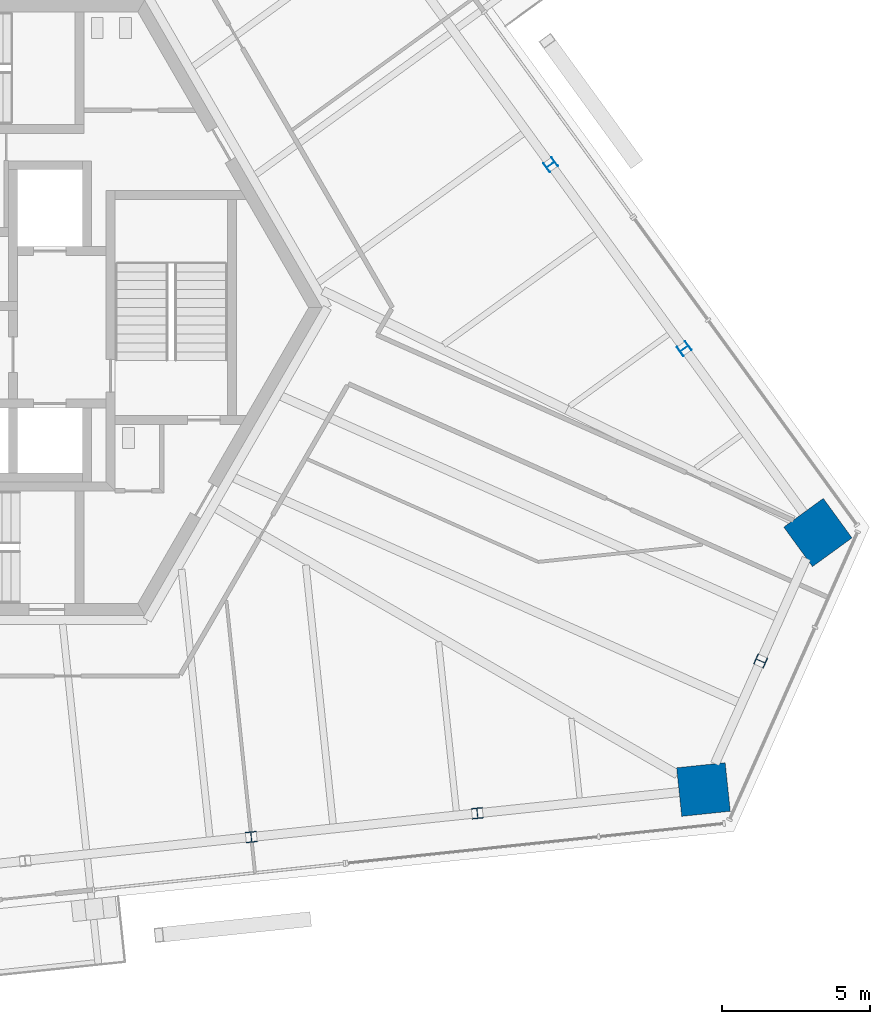
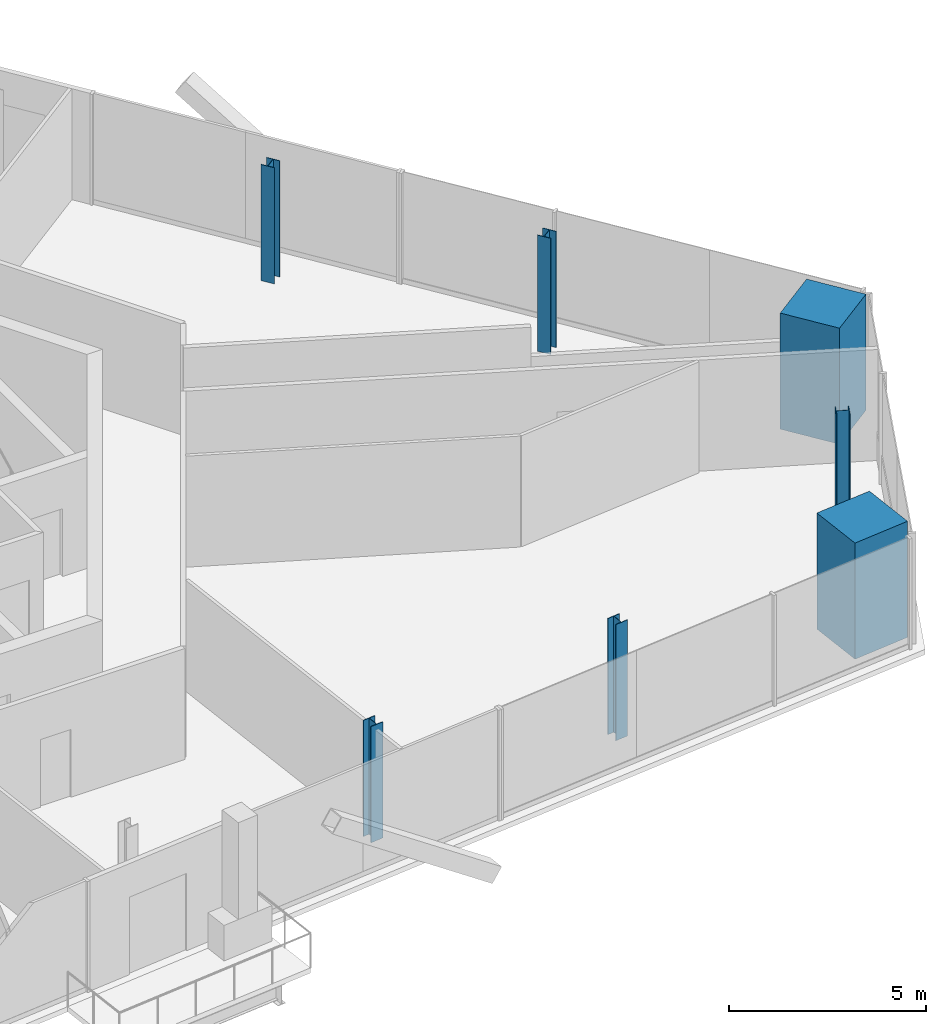
# One storey, part 2 of 18: 7 columns.
"""IFC4 building model written with IfcOpenShell, lengths in metres."""

from ifc_helpers import new_model, si_unit, direction, frame, origin, origin_2d, place, context, subcontext, project, spatial, rectangle, i_section, extrude, source, transform, mapped, material, material_profile, profile_set, type_object, element, save


model = new_model("IFC4")

# Units and contexts
model_context = context("Model", 3, precision=1e-05, world=origin(), true_north=direction((0.0, 1.0)))
body_context = subcontext(model_context, "Body", "Model", "MODEL_VIEW")
ifc_project = project(units=[si_unit("LENGTHUNIT", "METRE"), si_unit("AREAUNIT", "SQUARE_METRE"), si_unit("VOLUMEUNIT", "CUBIC_METRE"), si_unit("PLANEANGLEUNIT", "RADIAN"), si_unit("MASSUNIT", "GRAM", prefix="KILO")], contexts=[model_context])

# Site, building, storey
site_placement = place(None, origin())
site = spatial("IfcSite", under=ifc_project, at=site_placement, CompositionType="ELEMENT")
building_placement = place(site_placement, origin())
building = spatial("IfcBuilding", under=site, at=building_placement, Name="Triune Harvest Tower", CompositionType="ELEMENT")
storey_placement = place(building_placement, frame((0.0, 0.0, 230.5)))
storey = spatial("IfcBuildingStorey", under=building, at=storey_placement, Name="L60", CompositionType="ELEMENT", Elevation=230.5)

# Columns
ifc_material_1 = material(Name="Steel ASTM A992 Gr 50", Category="steel")
ifc_material_profile_1 = material_profile(ifc_material_1, i_section(OverallWidth=0.368408203125, OverallDepth=0.355712890625, WebThickness=0.01123046875, FlangeThickness=0.01806640625, at=origin_2d()), Name="W14x90")
ifc_profile_set_1 = profile_set([ifc_material_profile_1], Name="Steel ASTM A992 Gr 50")
column_type_1 = type_object("IfcColumnType", Name="PC-6 Perimeter column W14x90", PredefinedType="COLUMN", material=ifc_profile_set_1)
shared_shape_1 = source(origin(), body_context, "Body", "SweptSolid", [
    extrude(i_section(OverallWidth=0.368408203125, OverallDepth=0.355712890625, WebThickness=0.01123046875, FlangeThickness=0.01806640625, at=origin_2d()), origin(), (0.0, 0.0, 1.0), 3.60009765625),
])
for number, where, z_axis, x_axis, name in (
    (1, (24.2275390625, -1.38232421875, 0.0), (0.0, 0.0, 1.0), (-0.587785252292, 0.809016994375, 0.0), "col/L60/P1"),
    (2, (19.713623046875, 4.83056640625, 0.0), (0.0, 0.0, 1.0), (-0.587785252292, 0.809016994375, 0.0), "col/L60/P2"),
    (3, (9.601318359375, -17.88232421875, 0.0), (0.0, 0.0, 1.0), (0.99452171293, 0.104530199036, 0.0), "col/L60/P20"),
    (4, (17.238525390625, -17.07958984375, 0.0), (0.0, 0.0, 1.0), (0.99452171293, 0.104530199036, 0.0), "col/L60/P21"),
    (5, (26.80859375, -11.93603515625, 0.0), (0.0, 0.0, 1.0), (0.406741426383, 0.913543327962, 0.0), "col/L60/P23"),
):
    element("IfcColumn", number, at=place(storey_placement, frame(where, z_axis=z_axis, x_axis=x_axis)), inside=storey, type_object=column_type_1, Name=name, PredefinedType="COLUMN", context=body_context, shape_type="MappedRepresentation", body=[
        mapped(shared_shape_1, transform((0.0, 0.0, 0.0), scale=1.0)),
    ])
ifc_material_2 = material(Name="Concrete 70 MPa", Category="concrete")
ifc_material_profile_2 = material_profile(ifc_material_2, rectangle(XDim=1.64990234375, YDim=1.64990234375, at=origin_2d()), Name="Composite 1650x1650")
ifc_profile_set_2 = profile_set([ifc_material_profile_2], Name="Concrete 70 MPa")
column_type_2 = type_object("IfcColumnType", Name="MC-6 Mega column Composite 1650x1650", PredefinedType="COLUMN", material=ifc_profile_set_2)
shared_shape_2 = source(origin(), body_context, "Body", "SweptSolid", [
    extrude(rectangle(XDim=1.64990234375, YDim=1.64990234375, at=origin_2d()), origin(), (0.0, 0.0, 1.0), 3.60009765625),
])
for number, where, z_axis, x_axis, name in (
    (6, (28.741455078125, -7.59521484375, 0.0), (0.0, 0.0, 1.0), (-0.587785252292, 0.809016994375, 0.0), "col/L60/M0"),
    (7, (24.8759765625, -16.27685546875, 0.0), (0.0, 0.0, 1.0), (0.99452171293, 0.104530199036, 0.0), "col/L60/M22"),
):
    element("IfcColumn", number, at=place(storey_placement, frame(where, z_axis=z_axis, x_axis=x_axis)), inside=storey, type_object=column_type_2, Name=name, PredefinedType="COLUMN", context=body_context, shape_type="MappedRepresentation", body=[
        mapped(shared_shape_2, transform((0.0, 0.0, 0.0), scale=1.0)),
    ])

save(model, "model.ifc")
